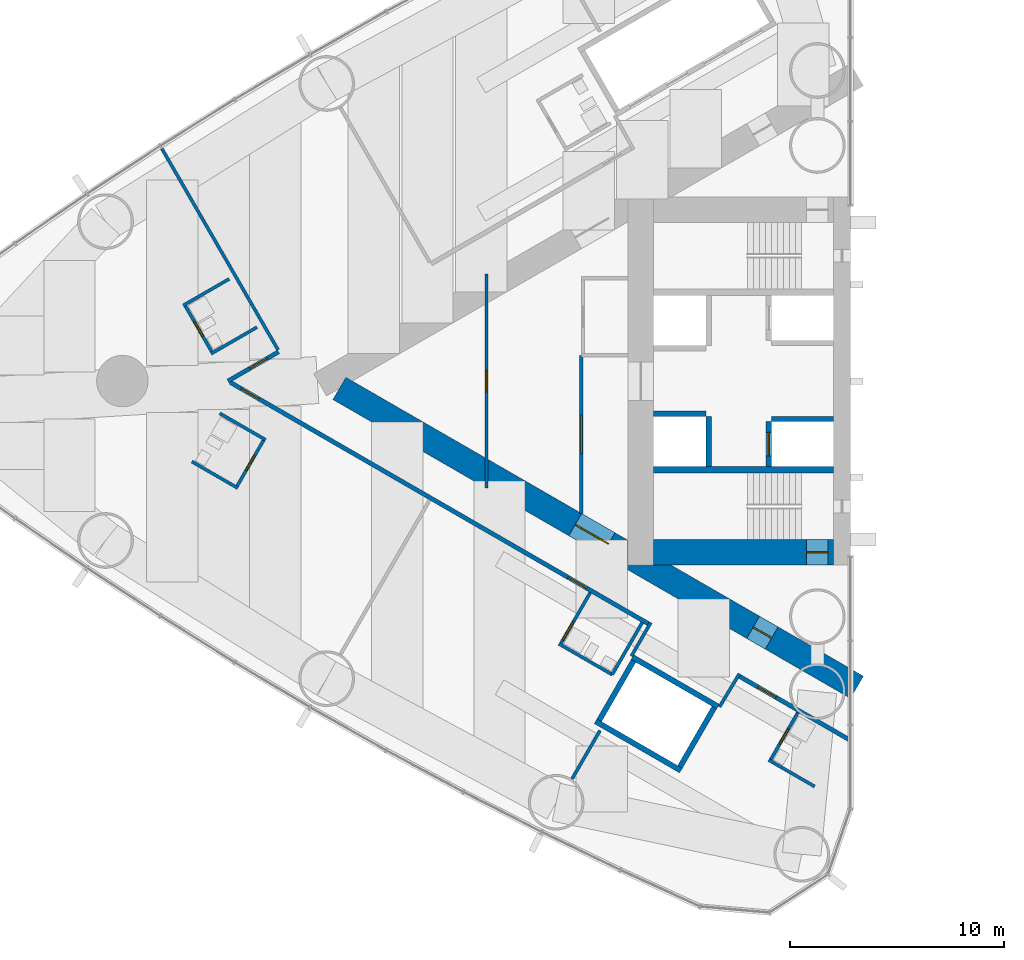
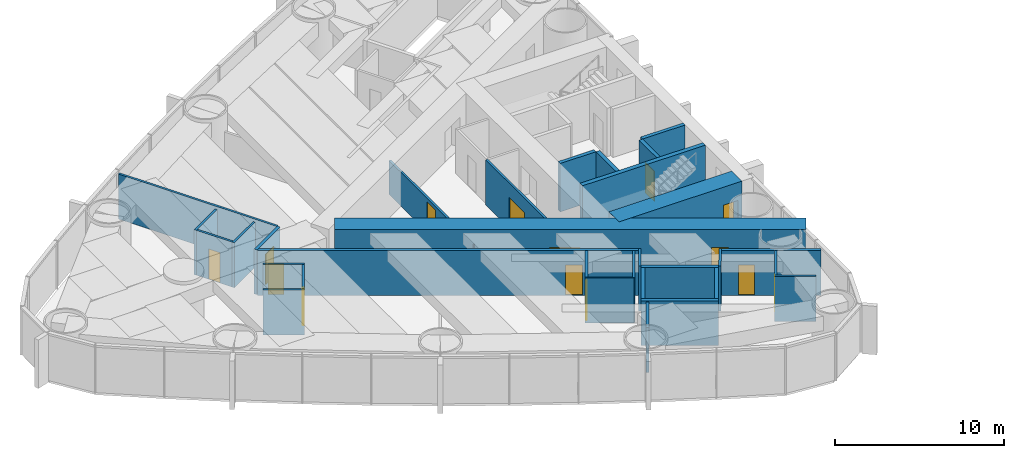
# One storey, part 11 of 18: 31 walls, 14 doors, 14 openings.
"""IFC4 building model written with IfcOpenShell, lengths in metres."""

from ifc_helpers import new_model, si_unit, direction, frame, frame_2d, origin, place, context, subcontext, project, spatial, rectangle, extrude, material, layer, layer_set, type_object, element, fill, save


model = new_model("IFC4")

# Units and contexts
model_context = context("Model", 3, precision=1e-05, world=origin(), true_north=direction((0.0, 1.0)))
body_context = subcontext(model_context, "Body", "Model", "MODEL_VIEW")
ifc_project = project(units=[si_unit("LENGTHUNIT", "METRE"), si_unit("AREAUNIT", "SQUARE_METRE"), si_unit("VOLUMEUNIT", "CUBIC_METRE"), si_unit("PLANEANGLEUNIT", "RADIAN"), si_unit("MASSUNIT", "GRAM", prefix="KILO")], contexts=[model_context])

# Site, building, storey
site_placement = place(None, origin())
site = spatial("IfcSite", under=ifc_project, at=site_placement, CompositionType="ELEMENT")
building_placement = place(site_placement, origin())
building = spatial("IfcBuilding", under=site, at=building_placement, Name="Lancet Gate Hotel", CompositionType="ELEMENT")
storey_placement = place(building_placement, frame((0.0, 0.0, 108.10009765625)))
storey = spatial("IfcBuildingStorey", under=building, at=storey_placement, Name="L28", CompositionType="ELEMENT", Elevation=108.10009765625)

# Wall
ifc_material_1 = material(Name="Moisture resistant board partition")
ifc_layer_1 = layer(ifc_material_1, 0.14990234375)
ifc_layer_set_1 = layer_set([ifc_layer_1], Name="Bathroom wall 150")
wall_type_1 = type_object("IfcWallType", Name="Bathroom wall 150", PredefinedType="PARTITIONING", material=ifc_layer_set_1)
wall_1_placement = place(storey_placement, frame((-56.51708984375, 4.763916015625, 0.0), z_axis=(0.0, 0.0, 1.0), x_axis=(-0.866031185235, -0.4999899861, 0.0)))
element("IfcWall", 1, at=wall_1_placement, inside=storey, type_object=wall_type_1, Name="T1 bathroom wall 150 L28", PredefinedType="PARTITIONING", context=body_context, shape_type="SweptSolid", body=[
    extrude(rectangle(XDim=2.47509765625, YDim=0.14990234375, at=frame_2d((1.237548828125, 0.0))), origin(), (0.0, 0.0, 1.0), 3.25),
])

# Wall, opening, door
wall_2_placement = place(storey_placement, frame((-57.295654296875, 1.312255859375, 0.0), z_axis=(0.0, 0.0, 1.0), x_axis=(-0.49997716683, 0.86603858612, 0.0)))
wall_2 = element("IfcWall", 2, at=wall_2_placement, inside=storey, type_object=wall_type_1, Name="T1 bathroom wall 150 L28", PredefinedType="PARTITIONING", context=body_context, shape_type="SweptSolid", body=[
    extrude(rectangle(XDim=2.599609375, YDim=0.14990234375, at=frame_2d((1.2998046875, 0.0))), origin(), (0.0, 0.0, 1.0), 3.25),
])
opening_1_placement = place(wall_2_placement, frame((0.89990234375, 0.0, 0.0)))
opening_1 = element("IfcOpeningElement", 3, at=opening_1_placement, cuts=wall_2, Name="Opening 2804-B", PredefinedType="OPENING", context=body_context, shape_type="SweptSolid", body=[
    extrude(rectangle(XDim=0.800048828125, YDim=2.199951171875, at=frame_2d((0.39990234375, 1.10009765625))), frame((0.0, 0.0849609375, 0.0), z_axis=(0.0, -1.0, 0.0), x_axis=(1.0, 0.0, 0.0)), (0.0, 0.0, 1.0), 0.169921875),
])
ifc_material_2 = material(Name="Timber door set", Category="wood")
door_type_1 = type_object("IfcDoorType", Name="Bathroom door 800", OperationType="SINGLE_SWING_RIGHT", PredefinedType="DOOR", material=ifc_material_2)
door_1_placement = place(opening_1_placement, origin())
door_1 = element("IfcDoor", 4, at=door_1_placement, inside=storey, type_object=door_type_1, Name="2804-B", OperationType="SINGLE_SWING_RIGHT", OverallHeight=2.199951171875, OverallWidth=0.800048828125, PredefinedType="DOOR", context=body_context, shape_type="SweptSolid", body=[
    extrude(rectangle(XDim=0.800048828125, YDim=2.199951171875, at=frame_2d((0.39990234375, 1.10009765625))), frame((0.0, 0.02490234375, 0.0), z_axis=(0.0, -1.0, 0.0), x_axis=(1.0, 0.0, 0.0)), (0.0, 0.0, 1.0), 0.050048828125),
])
fill(opening_1, door_1)

# Walls
for number, where, z_axis, x_axis, name in (
    (5, (-55.217041015625, 2.51220703125, 0.0), (0.0, 0.0, 1.0), (-0.866031185235, -0.4999899861, 0.0), "T1 bathroom wall 150 L28"),
    (6, (-56.111083984375, -4.998291015625, 0.0), (0.0, 0.0, 1.0), (-0.866031185235, 0.4999899861, 0.0), "T1 bathroom wall 150 L28"),
):
    element("IfcWall", number, at=place(storey_placement, frame(where, z_axis=z_axis, x_axis=x_axis)), inside=storey, type_object=wall_type_1, Name=name, PredefinedType="PARTITIONING", context=body_context, shape_type="SweptSolid", body=[
        extrude(rectangle(XDim=2.47509765625, YDim=0.14990234375, at=frame_2d((1.237548828125, 0.0))), origin(), (0.0, 0.0, 1.0), 3.25),
    ])

# Wall, opening, door
wall_3_placement = place(storey_placement, frame((-54.8759765625, -2.708984375, 0.0), z_axis=(0.0, 0.0, 1.0), x_axis=(-0.500006934395, -0.866021400173, 0.0)))
wall_3 = element("IfcWall", 7, at=wall_3_placement, inside=storey, type_object=wall_type_1, Name="T1 bathroom wall 150 L28", PredefinedType="PARTITIONING", context=body_context, shape_type="SweptSolid", body=[
    extrude(rectangle(XDim=2.60009765625, YDim=0.14990234375, at=frame_2d((1.300048828125, 0.0))), origin(), (0.0, 0.0, 1.0), 3.25),
])
opening_2_placement = place(wall_3_placement, frame((0.89990234375, 0.0, 0.0)))
opening_2 = element("IfcOpeningElement", 8, at=opening_2_placement, cuts=wall_3, Name="Opening 2805-B", PredefinedType="OPENING", context=body_context, shape_type="SweptSolid", body=[
    extrude(rectangle(XDim=0.800048828125, YDim=2.199951171875, at=frame_2d((0.39990234375, 1.10009765625))), frame((0.0, 0.0849609375, 0.0), z_axis=(0.0, -1.0, 0.0), x_axis=(1.0, 0.0, 0.0)), (0.0, 0.0, 1.0), 0.169921875),
])
door_2_placement = place(opening_2_placement, origin())
door_2 = element("IfcDoor", 9, at=door_2_placement, inside=storey, type_object=door_type_1, Name="2805-B", OperationType="SINGLE_SWING_RIGHT", OverallHeight=2.199951171875, OverallWidth=0.800048828125, PredefinedType="DOOR", context=body_context, shape_type="SweptSolid", body=[
    extrude(rectangle(XDim=0.800048828125, YDim=2.199951171875, at=frame_2d((0.39990234375, 1.10009765625))), frame((0.0, 0.02490234375, 0.0), z_axis=(0.0, -1.0, 0.0), x_axis=(1.0, 0.0, 0.0)), (0.0, 0.0, 1.0), 0.050048828125),
])
fill(opening_2, door_2)

# Walls
wall_4_placement = place(storey_placement, frame((-54.81103515625, -2.74658203125, 0.0), z_axis=(0.0, 0.0, 1.0), x_axis=(-0.866031185235, 0.4999899861, 0.0)))
element("IfcWall", 10, at=wall_4_placement, inside=storey, type_object=wall_type_1, Name="T1 bathroom wall 150 L28", PredefinedType="PARTITIONING", context=body_context, shape_type="SweptSolid", body=[
    extrude(rectangle(XDim=2.47509765625, YDim=0.14990234375, at=frame_2d((1.237548828125, 0.0))), origin(), (0.0, 0.0, 1.0), 3.25),
])
wall_5_placement = place(storey_placement, frame((-38.630126953125, -13.705322265625, 0.0), z_axis=(0.0, 0.0, 1.0), x_axis=(-0.866018712932, 0.500011588718, 0.0)))
element("IfcWall", 11, at=wall_5_placement, inside=storey, type_object=wall_type_1, Name="T1 bathroom wall 150 L28", PredefinedType="PARTITIONING", context=body_context, shape_type="SweptSolid", body=[
    extrude(rectangle(XDim=2.875, YDim=0.14990234375, at=frame_2d((1.4375, 0.0))), origin(), (0.0, 0.0, 1.0), 3.25),
])

# Wall, opening, door
wall_6_placement = place(storey_placement, frame((-39.65478515625, -9.88037109375, 0.0), z_axis=(0.0, 0.0, 1.0), x_axis=(-0.500049511043, -0.865996816683, 0.0)))
wall_6 = element("IfcWall", 12, at=wall_6_placement, inside=storey, type_object=wall_type_1, Name="T1 bathroom wall 150 L28", PredefinedType="PARTITIONING", context=body_context, shape_type="SweptSolid", body=[
    extrude(rectangle(XDim=2.800048828125, YDim=0.14990234375, at=frame_2d((1.39990234375, 0.0))), origin(), (0.0, 0.0, 1.0), 3.25),
])
opening_3_placement = place(wall_6_placement, frame((1.550048828125, 0.0, 0.0)))
opening_3 = element("IfcOpeningElement", 13, at=opening_3_placement, cuts=wall_6, Name="Opening 2807-B", PredefinedType="OPENING", context=body_context, shape_type="SweptSolid", body=[
    extrude(rectangle(XDim=1.0, YDim=2.199951171875, at=frame_2d((0.5, 1.10009765625))), frame((0.0, 0.0849609375, 0.0), z_axis=(0.0, -1.0, 0.0), x_axis=(1.0, 0.0, 0.0)), (0.0, 0.0, 1.0), 0.169921875),
])
ifc_material_3 = material(Name="Timber door set", Category="wood")
door_type_2 = type_object("IfcDoorType", Name="Accessible en-suite door 1000", OperationType="SINGLE_SWING_RIGHT", PredefinedType="DOOR", material=ifc_material_3)
door_3_placement = place(opening_3_placement, origin())
door_3 = element("IfcDoor", 14, at=door_3_placement, inside=storey, type_object=door_type_2, Name="2807-B", OperationType="SINGLE_SWING_RIGHT", OverallHeight=2.199951171875, OverallWidth=1.0, PredefinedType="DOOR", context=body_context, shape_type="SweptSolid", body=[
    extrude(rectangle(XDim=1.0, YDim=2.199951171875, at=frame_2d((0.5, 1.10009765625))), frame((0.0, 0.02490234375, 0.0), z_axis=(0.0, -1.0, 0.0), x_axis=(1.0, 0.0, 0.0)), (0.0, 0.0, 1.0), 0.050048828125),
])
fill(opening_3, door_3)

# Walls
wall_7_placement = place(storey_placement, frame((-37.22998046875, -11.280517578125, 0.0), z_axis=(0.0, 0.0, 1.0), x_axis=(-0.500049511043, -0.865996816683, 0.0)))
element("IfcWall", 15, at=wall_7_placement, inside=storey, type_object=wall_type_1, Name="T1 bathroom wall 150 L28", PredefinedType="PARTITIONING", context=body_context, shape_type="SweptSolid", body=[
    extrude(rectangle(XDim=2.800048828125, YDim=0.14990234375, at=frame_2d((1.39990234375, 0.0))), origin(), (0.0, 0.0, 1.0), 3.25),
])
wall_8_placement = place(storey_placement, frame((-29.181884765625, -18.92919921875, 0.0), z_axis=(0.0, 0.0, 1.0), x_axis=(-0.866006523861, 0.500032699561, 0.0)))
element("IfcWall", 16, at=wall_8_placement, inside=storey, type_object=wall_type_1, Name="T1 bathroom wall 150 L28", PredefinedType="PARTITIONING", context=body_context, shape_type="SweptSolid", body=[
    extrude(rectangle(XDim=2.474853515625, YDim=0.14990234375, at=frame_2d((1.2373046875, 0.0))), origin(), (0.0, 0.0, 1.0), 3.25),
])

# Wall, opening, door
wall_9_placement = place(storey_placement, frame((-29.960205078125, -15.4775390625, 0.0), z_axis=(0.0, 0.0, 1.0), x_axis=(-0.500006934395, -0.866021400173, 0.0)))
wall_9 = element("IfcWall", 17, at=wall_9_placement, inside=storey, type_object=wall_type_1, Name="T1 bathroom wall 150 L28", PredefinedType="PARTITIONING", context=body_context, shape_type="SweptSolid", body=[
    extrude(rectangle(XDim=2.60009765625, YDim=0.14990234375, at=frame_2d((1.300048828125, 0.0))), origin(), (0.0, 0.0, 1.0), 3.25),
])
opening_4_placement = place(wall_9_placement, frame((0.89990234375, 0.0, 0.0)))
opening_4 = element("IfcOpeningElement", 18, at=opening_4_placement, cuts=wall_9, Name="Opening 2808-B", PredefinedType="OPENING", context=body_context, shape_type="SweptSolid", body=[
    extrude(rectangle(XDim=0.800048828125, YDim=2.199951171875, at=frame_2d((0.39990234375, 1.10009765625))), frame((0.0, 0.0849609375, 0.0), z_axis=(0.0, -1.0, 0.0), x_axis=(1.0, 0.0, 0.0)), (0.0, 0.0, 1.0), 0.169921875),
])
door_4_placement = place(opening_4_placement, origin())
door_4 = element("IfcDoor", 19, at=door_4_placement, inside=storey, type_object=door_type_1, Name="2808-B", OperationType="SINGLE_SWING_RIGHT", OverallHeight=2.199951171875, OverallWidth=0.800048828125, PredefinedType="DOOR", context=body_context, shape_type="SweptSolid", body=[
    extrude(rectangle(XDim=0.800048828125, YDim=2.199951171875, at=frame_2d((0.39990234375, 1.10009765625))), frame((0.0, 0.02490234375, 0.0), z_axis=(0.0, -1.0, 0.0), x_axis=(1.0, 0.0, 0.0)), (0.0, 0.0, 1.0), 0.050048828125),
])
fill(opening_4, door_4)

# Wall, openings, doors
ifc_material_4 = material(Name="Concrete C70/85", Category="concrete")
ifc_layer_2 = layer(ifc_material_4, 1.199951171875)
ifc_layer_set_2 = layer_set([ifc_layer_2], Name="Buttress wall 1200")
wall_type_2 = type_object("IfcWallType", Name="Buttress wall 1200", PredefinedType="SHEAR", material=ifc_layer_set_2)
wall_10_placement = place(storey_placement, frame((-27.199951171875, -14.300048828125, 0.0), z_axis=(0.0, 0.0, 1.0), x_axis=(-0.866024021859, 0.500002393557, 0.0)))
wall_10 = element("IfcWall", 20, at=wall_10_placement, inside=storey, type_object=wall_type_2, Name="T1 buttress wall N L28", PredefinedType="SHEAR", context=body_context, shape_type="SweptSolid", body=[
    extrude(rectangle(XDim=27.906982421875, YDim=1.199951171875, at=frame_2d((13.95361328125, 0.0))), origin(), (0.0, 0.0, 1.0), 3.5),
])
opening_5_placement = place(wall_10_placement, frame((4.60009765625, 0.0, 0.0)))
opening_5 = element("IfcOpeningElement", 21, at=opening_5_placement, cuts=wall_10, Name="Opening T1-L28-LN", PredefinedType="OPENING", context=body_context, shape_type="SweptSolid", body=[
    extrude(rectangle(XDim=1.0, YDim=2.199951171875, at=frame_2d((0.5, 1.10009765625))), frame((0.0, 0.60986328125, 0.0), z_axis=(0.0, -1.0, 0.0), x_axis=(1.0, 0.0, 0.0)), (0.0, 0.0, 1.0), 1.219970703125),
])
opening_6_placement = place(wall_10_placement, frame((13.39453125, 0.0, 0.0)))
opening_6 = element("IfcOpeningElement", 22, at=opening_6_placement, cuts=wall_10, Name="Opening T1-L28-LHN", PredefinedType="OPENING", context=body_context, shape_type="SweptSolid", body=[
    extrude(rectangle(XDim=1.800048828125, YDim=2.199951171875, at=frame_2d((0.89990234375, 1.10009765625))), frame((0.0, 0.60986328125, 0.0), z_axis=(0.0, -1.0, 0.0), x_axis=(1.0, 0.0, 0.0)), (0.0, 0.0, 1.0), 1.219970703125),
])
ifc_material_5 = material(Name="Timber door set", Category="wood")
door_type_3 = type_object("IfcDoorType", Name="Lobby double door 1800", OperationType="DOUBLE_DOOR_SINGLE_SWING", PredefinedType="DOOR", material=ifc_material_5)
door_5_placement = place(opening_6_placement, origin())
door_5 = element("IfcDoor", 23, at=door_5_placement, inside=storey, type_object=door_type_3, Name="T1-L28-LHN", OperationType="DOUBLE_DOOR_SINGLE_SWING", OverallHeight=2.199951171875, OverallWidth=1.800048828125, PredefinedType="DOOR", context=body_context, shape_type="SweptSolid", body=[
    extrude(rectangle(XDim=1.800048828125, YDim=2.199951171875, at=frame_2d((0.89990234375, 1.10009765625))), frame((0.0, 0.02490234375, 0.0), z_axis=(0.0, -1.0, 0.0), x_axis=(1.0, 0.0, 0.0)), (0.0, 0.0, 1.0), 0.050048828125),
])
fill(opening_6, door_5)
ifc_material_6 = material(Name="Timber door set", Category="wood")
door_type_4 = type_object("IfcDoorType", Name="Stair lobby door 1000", OperationType="SINGLE_SWING_LEFT", PredefinedType="DOOR", material=ifc_material_6)
door_6_placement = place(opening_5_placement, origin())
door_6 = element("IfcDoor", 24, at=door_6_placement, inside=storey, type_object=door_type_4, Name="T1-L28-LN", OperationType="SINGLE_SWING_LEFT", OverallHeight=2.199951171875, OverallWidth=1.0, PredefinedType="DOOR", context=body_context, shape_type="SweptSolid", body=[
    extrude(rectangle(XDim=1.0, YDim=2.199951171875, at=frame_2d((0.5, 1.10009765625))), frame((0.0, 0.02490234375, 0.0), z_axis=(0.0, -1.0, 0.0), x_axis=(1.0, 0.0, 0.0)), (0.0, 0.0, 1.0), 0.050048828125),
])
fill(opening_5, door_6)

# Wall, opening, door
ifc_material_7 = material(Name="Concrete C70/85", Category="concrete")
ifc_layer_3 = layer(ifc_material_7, 1.199951171875)
ifc_layer_set_3 = layer_set([ifc_layer_3], Name="Core wall 1200")
wall_type_3 = type_object("IfcWallType", Name="Core wall 1200", PredefinedType="SHEAR", material=ifc_layer_set_3)
wall_11_placement = place(storey_placement, frame((-28.300048828125, -8.0, 0.0), z_axis=(0.0, 0.0, 1.0), x_axis=(-1.0, 0.0, 0.0)))
wall_11 = element("IfcWall", 25, at=wall_11_placement, inside=storey, type_object=wall_type_3, Name="T1 core wall side-N L28", PredefinedType="SHEAR", context=body_context, shape_type="SweptSolid", body=[
    extrude(rectangle(XDim=8.39990234375, YDim=1.199951171875, at=frame_2d((4.199951171875, 0.0))), origin(), (0.0, 0.0, 1.0), 3.5),
])
opening_7_placement = place(wall_11_placement, frame((0.25, 0.0, 0.0)))
opening_7 = element("IfcOpeningElement", 26, at=opening_7_placement, cuts=wall_11, Name="Opening T1-L28-ST2", PredefinedType="OPENING", context=body_context, shape_type="SweptSolid", body=[
    extrude(rectangle(XDim=1.0, YDim=2.199951171875, at=frame_2d((0.5, 1.10009765625))), frame((0.0, 0.60986328125, 0.0), z_axis=(0.0, -1.0, 0.0), x_axis=(1.0, 0.0, 0.0)), (0.0, 0.0, 1.0), 1.219970703125),
])
ifc_material_8 = material(Name="Timber door set", Category="wood")
door_type_5 = type_object("IfcDoorType", Name="Stair door 1000", OperationType="SINGLE_SWING_RIGHT", PredefinedType="DOOR", material=ifc_material_8)
door_7_placement = place(opening_7_placement, origin())
door_7 = element("IfcDoor", 27, at=door_7_placement, inside=storey, type_object=door_type_5, Name="T1-L28-ST2", OperationType="SINGLE_SWING_RIGHT", OverallHeight=2.199951171875, OverallWidth=1.0, PredefinedType="DOOR", context=body_context, shape_type="SweptSolid", body=[
    extrude(rectangle(XDim=1.0, YDim=2.199951171875, at=frame_2d((0.5, 1.10009765625))), frame((0.0, 0.02490234375, 0.0), z_axis=(0.0, -1.0, 0.0), x_axis=(1.0, 0.0, 0.0)), (0.0, 0.0, 1.0), 0.050048828125),
])
fill(opening_7, door_7)

ifc_material_9 = material(Name="Gypsum board partition")
ifc_layer_4 = layer(ifc_material_9, 0.199951171875)
ifc_layer_set_4 = layer_set([ifc_layer_4], Name="Corridor wall 200")
wall_type_4 = type_object("IfcWallType", Name="Corridor wall 200", PredefinedType="PARTITIONING", material=ifc_layer_set_4)
wall_12_placement = place(storey_placement, frame((-27.572021484375, -16.740966796875, 0.0), z_axis=(0.0, 0.0, 1.0), x_axis=(-0.866024464444, 0.500001626982, 0.0)))
wall_12 = element("IfcWall", 28, at=wall_12_placement, inside=storey, type_object=wall_type_4, Name="T1 corridor wall 200 L28", PredefinedType="PARTITIONING", context=body_context, shape_type="SweptSolid", body=[
    extrude(rectangle(XDim=5.955078125, YDim=0.199951171875, at=frame_2d((2.9775390625, 0.0))), origin(), (0.0, 0.0, 1.0), 3.25),
])
opening_8_placement = place(wall_12_placement, frame((3.949951171875, 0.0, 0.0)))
opening_8 = element("IfcOpeningElement", 29, at=opening_8_placement, cuts=wall_12, Name="Opening 2808-E", PredefinedType="OPENING", context=body_context, shape_type="SweptSolid", body=[
    extrude(rectangle(XDim=0.949951171875, YDim=2.199951171875, at=frame_2d((0.47509765625, 1.10009765625))), frame((0.0, 0.10986328125, 0.0), z_axis=(0.0, -1.0, 0.0), x_axis=(1.0, 0.0, 0.0)), (0.0, 0.0, 1.0), 0.219970703125),
])
ifc_material_10 = material(Name="Timber door set", Category="wood")
door_type_6 = type_object("IfcDoorType", Name="Guest room entry door 950", OperationType="SINGLE_SWING_LEFT", PredefinedType="DOOR", material=ifc_material_10)
door_8_placement = place(opening_8_placement, origin())
door_8 = element("IfcDoor", 30, at=door_8_placement, inside=storey, type_object=door_type_6, Name="2808-E", OperationType="SINGLE_SWING_LEFT", OverallHeight=2.199951171875, OverallWidth=0.949951171875, PredefinedType="DOOR", context=body_context, shape_type="SweptSolid", body=[
    extrude(rectangle(XDim=0.949951171875, YDim=2.199951171875, at=frame_2d((0.47509765625, 1.10009765625))), frame((0.0, 0.02490234375, 0.0), z_axis=(0.0, -1.0, 0.0), x_axis=(1.0, 0.0, 0.0)), (0.0, 0.0, 1.0), 0.050048828125),
])
fill(opening_8, door_8)

# Wall, openings, doors
wall_13_placement = place(storey_placement, frame((-36.920166015625, -11.34375, 0.0), z_axis=(0.0, 0.0, 1.0), x_axis=(-0.866028313256, 0.499994960614, 0.0)))
wall_13 = element("IfcWall", 31, at=wall_13_placement, inside=storey, type_object=wall_type_4, Name="T1 corridor wall 200 L28", PredefinedType="PARTITIONING", context=body_context, shape_type="SweptSolid", body=[
    extrude(rectangle(XDim=22.567626953125, YDim=0.199951171875, at=frame_2d((11.28369140625, 0.0))), origin(), (0.0, 0.0, 1.0), 3.25),
])
opening_9_placement = place(wall_13_placement, frame((21.017578125, 0.0, 0.0)))
opening_9 = element("IfcOpeningElement", 32, at=opening_9_placement, cuts=wall_13, Name="Opening 2805-E", PredefinedType="OPENING", context=body_context, shape_type="SweptSolid", body=[
    extrude(rectangle(XDim=0.949951171875, YDim=2.199951171875, at=frame_2d((0.47509765625, 1.10009765625))), frame((0.0, 0.10986328125, 0.0), z_axis=(0.0, -1.0, 0.0), x_axis=(1.0, 0.0, 0.0)), (0.0, 0.0, 1.0), 0.219970703125),
])
opening_10_placement = place(wall_13_placement, frame((3.35009765625, 0.0, 0.0)))
opening_10 = element("IfcOpeningElement", 33, at=opening_10_placement, cuts=wall_13, Name="Opening 2807-E", PredefinedType="OPENING", context=body_context, shape_type="SweptSolid", body=[
    extrude(rectangle(XDim=1.0, YDim=2.199951171875, at=frame_2d((0.5, 1.10009765625))), frame((0.0, 0.10986328125, 0.0), z_axis=(0.0, -1.0, 0.0), x_axis=(1.0, 0.0, 0.0)), (0.0, 0.0, 1.0), 0.219970703125),
])
ifc_material_11 = material(Name="Timber door set", Category="wood")
door_type_7 = type_object("IfcDoorType", Name="Accessible guest room door 1000", OperationType="SINGLE_SWING_LEFT", PredefinedType="DOOR", material=ifc_material_11)
door_9_placement = place(opening_10_placement, origin())
door_9 = element("IfcDoor", 34, at=door_9_placement, inside=storey, type_object=door_type_7, Name="2807-E", OperationType="SINGLE_SWING_LEFT", OverallHeight=2.199951171875, OverallWidth=1.0, PredefinedType="DOOR", context=body_context, shape_type="SweptSolid", body=[
    extrude(rectangle(XDim=1.0, YDim=2.199951171875, at=frame_2d((0.5, 1.10009765625))), frame((0.0, 0.02490234375, 0.0), z_axis=(0.0, -1.0, 0.0), x_axis=(1.0, 0.0, 0.0)), (0.0, 0.0, 1.0), 0.050048828125),
])
fill(opening_10, door_9)
door_10_placement = place(opening_9_placement, origin())
door_10 = element("IfcDoor", 35, at=door_10_placement, inside=storey, type_object=door_type_6, Name="2805-E", OperationType="SINGLE_SWING_LEFT", OverallHeight=2.199951171875, OverallWidth=0.949951171875, PredefinedType="DOOR", context=body_context, shape_type="SweptSolid", body=[
    extrude(rectangle(XDim=0.949951171875, YDim=2.199951171875, at=frame_2d((0.47509765625, 1.10009765625))), frame((0.0, 0.02490234375, 0.0), z_axis=(0.0, -1.0, 0.0), x_axis=(1.0, 0.0, 0.0)), (0.0, 0.0, 1.0), 0.050048828125),
])
fill(opening_9, door_10)

# Wall, opening, door
wall_14_placement = place(storey_placement, frame((-54.207275390625, 1.363037109375, 0.0), z_axis=(0.0, 0.0, 1.0), x_axis=(-0.866046902845, -0.499962760685, 0.0)))
wall_14 = element("IfcWall", 36, at=wall_14_placement, inside=storey, type_object=wall_type_4, Name="T1 corridor wall 200 L28", PredefinedType="PARTITIONING", context=body_context, shape_type="SweptSolid", body=[
    extrude(rectangle(XDim=2.726318359375, YDim=0.199951171875, at=frame_2d((1.36328125, 0.0))), origin(), (0.0, 0.0, 1.0), 3.25),
])
opening_11_placement = place(wall_14_placement, frame((0.60009765625, 0.0, 0.0)))
opening_11 = element("IfcOpeningElement", 37, at=opening_11_placement, cuts=wall_14, Name="Opening 2804-E", PredefinedType="OPENING", context=body_context, shape_type="SweptSolid", body=[
    extrude(rectangle(XDim=0.949951171875, YDim=2.199951171875, at=frame_2d((0.47509765625, 1.10009765625))), frame((0.0, 0.10986328125, 0.0), z_axis=(0.0, -1.0, 0.0), x_axis=(1.0, 0.0, 0.0)), (0.0, 0.0, 1.0), 0.219970703125),
])
door_11_placement = place(opening_11_placement, origin())
door_11 = element("IfcDoor", 38, at=door_11_placement, inside=storey, type_object=door_type_6, Name="2804-E", OperationType="SINGLE_SWING_LEFT", OverallHeight=2.199951171875, OverallWidth=0.949951171875, PredefinedType="DOOR", context=body_context, shape_type="SweptSolid", body=[
    extrude(rectangle(XDim=0.949951171875, YDim=2.199951171875, at=frame_2d((0.47509765625, 1.10009765625))), frame((0.0, 0.02490234375, 0.0), z_axis=(0.0, -1.0, 0.0), x_axis=(1.0, 0.0, 0.0)), (0.0, 0.0, 1.0), 0.050048828125),
])
fill(opening_11, door_11)

# Walls
ifc_material_12 = material(Name="Gypsum board partition")
ifc_layer_5 = layer(ifc_material_12, 0.25)
ifc_layer_set_5 = layer_set([ifc_layer_5], Name="Lift shaft partition 250")
wall_type_5 = type_object("IfcWallType", Name="Lift shaft partition 250", PredefinedType="PARTITIONING", material=ifc_layer_set_5)
wall_15_placement = place(storey_placement, frame((-33.695556640625, -15.197265625, 0.0), z_axis=(0.0, 0.0, 1.0), x_axis=(-0.865976953817, 0.500083908417, 0.0)))
element("IfcWall", 39, at=wall_15_placement, inside=storey, type_object=wall_type_5, Name="T1 lift shaft wall EX L28", PredefinedType="PARTITIONING", context=body_context, shape_type="SweptSolid", body=[
    extrude(rectangle(XDim=4.599365234375, YDim=0.25, at=frame_2d((2.2998046875, 0.0))), origin(), (0.0, 0.0, 1.0), 3.25),
])
wall_16_placement = place(storey_placement, frame((-35.42041015625, -18.185791015625, 0.0), z_axis=(0.0, 0.0, 1.0), x_axis=(-0.865990227814, 0.50006092162, 0.0)))
element("IfcWall", 40, at=wall_16_placement, inside=storey, type_object=wall_type_5, Name="T1 lift shaft wall EX L28", PredefinedType="PARTITIONING", context=body_context, shape_type="SweptSolid", body=[
    extrude(rectangle(XDim=4.599609375, YDim=0.25, at=frame_2d((2.2998046875, 0.0))), origin(), (0.0, 0.0, 1.0), 3.25),
])
wall_17_placement = place(storey_placement, frame((-33.8662109375, -15.242919921875, 0.0), z_axis=(0.0, 0.0, 1.0), x_axis=(-0.499929347863, -0.866066190972, 0.0)))
element("IfcWall", 41, at=wall_17_placement, inside=storey, type_object=wall_type_5, Name="T1 lift shaft wall EX L28", PredefinedType="PARTITIONING", context=body_context, shape_type="SweptSolid", body=[
    extrude(rectangle(XDim=3.20068359375, YDim=0.25, at=frame_2d((1.600341796875, 0.0))), origin(), (0.0, 0.0, 1.0), 3.25),
])
wall_18_placement = place(storey_placement, frame((-37.6328125, -13.068115234375, 0.0), z_axis=(0.0, 0.0, 1.0), x_axis=(-0.499872130319, -0.866099216793, 0.0)))
element("IfcWall", 42, at=wall_18_placement, inside=storey, type_object=wall_type_5, Name="T1 lift shaft wall EX L28", PredefinedType="PARTITIONING", context=body_context, shape_type="SweptSolid", body=[
    extrude(rectangle(XDim=3.200439453125, YDim=0.25, at=frame_2d((1.60009765625, 0.0))), origin(), (0.0, 0.0, 1.0), 3.25),
])

# Wall, opening, door
ifc_material_13 = material(Name="Concrete C50/60", Category="concrete")
ifc_layer_6 = layer(ifc_material_13, 0.25)
ifc_layer_set_6 = layer_set([ifc_layer_6], Name="Lift shaft wall 250")
wall_type_6 = type_object("IfcWallType", Name="Lift shaft wall 250", PredefinedType="SHEAR", material=ifc_layer_set_6)
wall_19_placement = place(storey_placement, frame((-31.324951171875, -1.89990234375, 0.0), z_axis=(0.0, 0.0, 1.0), x_axis=(0.0, -1.0, 0.0)))
wall_19 = element("IfcWall", 43, at=wall_19_placement, inside=storey, type_object=wall_type_6, Name="T1 core wall row1-N L28", PredefinedType="SHEAR", context=body_context, shape_type="SweptSolid", body=[
    extrude(rectangle(XDim=2.10009765625, YDim=0.25, at=frame_2d((1.050048828125, 0.0))), origin(), (0.0, 0.0, 1.0), 3.5),
])
opening_12_placement = place(wall_19_placement, frame((0.5, 0.0, 0.0)))
opening_12 = element("IfcOpeningElement", 44, at=opening_12_placement, cuts=wall_19, Name="Opening T1-FL2-L28", PredefinedType="OPENING", context=body_context, shape_type="SweptSolid", body=[
    extrude(rectangle(XDim=1.10009765625, YDim=2.199951171875, at=frame_2d((0.550048828125, 1.10009765625))), frame((0.0, 0.135009765625, 0.0), z_axis=(0.0, -1.0, 0.0), x_axis=(1.0, 0.0, 0.0)), (0.0, 0.0, 1.0), 0.27001953125),
])
ifc_material_14 = material(Name="Steel door set", Category="steel")
door_type_8 = type_object("IfcDoorType", Name="Firefighting lift landing door 1100", OperationType="SLIDING_TO_LEFT", PredefinedType="USERDEFINED", material=ifc_material_14)
door_12_placement = place(opening_12_placement, origin())
door_12 = element("IfcDoor", 45, at=door_12_placement, inside=storey, type_object=door_type_8, Name="T1-FL2-L28", ObjectType="LIFT LANDING DOOR", OperationType="SLIDING_TO_LEFT", OverallHeight=2.199951171875, OverallWidth=1.10009765625, PredefinedType="USERDEFINED", context=body_context, shape_type="SweptSolid", body=[
    extrude(rectangle(XDim=1.10009765625, YDim=2.199951171875, at=frame_2d((0.550048828125, 1.10009765625))), frame((0.0, 0.02490234375, 0.0), z_axis=(0.0, -1.0, 0.0), x_axis=(1.0, 0.0, 0.0)), (0.0, 0.0, 1.0), 0.050048828125),
])
fill(opening_12, door_12)

# Walls
wall_20_placement = place(storey_placement, frame((-34.125, -1.64990234375, 0.0), z_axis=(0.0, 0.0, 1.0), x_axis=(0.0, -1.0, 0.0)))
element("IfcWall", 46, at=wall_20_placement, inside=storey, type_object=wall_type_6, Name="T1 core wall row2-N L28", PredefinedType="SHEAR", context=body_context, shape_type="SweptSolid", body=[
    extrude(rectangle(XDim=2.35009765625, YDim=0.25, at=frame_2d((1.175048828125, 0.0))), origin(), (0.0, 0.0, 1.0), 3.5),
])
wall_21_placement = place(storey_placement, frame((-28.300048828125, -1.77490234375, 0.0), z_axis=(0.0, 0.0, 1.0), x_axis=(-1.0, 0.0, 0.0)))
element("IfcWall", 47, at=wall_21_placement, inside=storey, type_object=wall_type_6, Name="T1 core wall pass1-N L28", PredefinedType="SHEAR", context=body_context, shape_type="SweptSolid", body=[
    extrude(rectangle(XDim=2.89990234375, YDim=0.25, at=frame_2d((1.449951171875, 0.0))), origin(), (0.0, 0.0, 1.0), 3.5),
])
wall_22_placement = place(storey_placement, frame((-34.25, -1.52490234375, 0.0), z_axis=(0.0, 0.0, 1.0), x_axis=(-1.0, 0.0, 0.0)))
element("IfcWall", 48, at=wall_22_placement, inside=storey, type_object=wall_type_6, Name="T1 core wall pass2-N L28", PredefinedType="SHEAR", context=body_context, shape_type="SweptSolid", body=[
    extrude(rectangle(XDim=2.449951171875, YDim=0.25, at=frame_2d((1.22509765625, 0.0))), origin(), (0.0, 0.0, 1.0), 3.5),
])
ifc_material_15 = material(Name="Gypsum board partition")
ifc_layer_7 = layer(ifc_material_15, 0.14990234375)
ifc_layer_set_7 = layer_set([ifc_layer_7], Name="Party wall 150")
wall_type_7 = type_object("IfcWallType", Name="Party wall 150", PredefinedType="PARTITIONING", material=ifc_layer_set_7)
wall_23_placement = place(storey_placement, frame((-54.235595703125, 1.462158203125, 0.0), z_axis=(0.0, 0.0, 1.0), x_axis=(-0.499990351854, 0.866030974073, 0.0)))
element("IfcWall", 49, at=wall_23_placement, inside=storey, type_object=wall_type_7, Name="T1 party wall 150 L28", PredefinedType="PARTITIONING", context=body_context, shape_type="SweptSolid", body=[
    extrude(rectangle(XDim=10.833740234375, YDim=0.14990234375, at=frame_2d((5.4169921875, 0.0))), origin(), (0.0, 0.0, 1.0), 3.25),
])
wall_24_placement = place(storey_placement, frame((-39.2021484375, -16.319580078125, 0.0), z_axis=(0.0, 0.0, 1.0), x_axis=(-0.49997716683, -0.86603858612, 0.0)))
element("IfcWall", 50, at=wall_24_placement, inside=storey, type_object=wall_type_7, Name="T1 party wall 150 L28", PredefinedType="PARTITIONING", context=body_context, shape_type="SweptSolid", body=[
    extrude(rectangle(XDim=2.599609375, YDim=0.14990234375, at=frame_2d((1.2998046875, 0.0))), origin(), (0.0, 0.0, 1.0), 3.25),
])
ifc_material_16 = material(Name="Gypsum board partition")
ifc_layer_8 = layer(ifc_material_16, 0.14990234375)
ifc_layer_set_8 = layer_set([ifc_layer_8], Name="Service room wall 150")
wall_type_8 = type_object("IfcWallType", Name="Service room wall 150", PredefinedType="PARTITIONING", material=ifc_layer_set_8)
wall_25_placement = place(storey_placement, frame((-36.831298828125, -11.27978515625, 0.0), z_axis=(0.0, 0.0, 1.0), x_axis=(-0.499937177781, -0.866061671171, 0.0)))
element("IfcWall", 51, at=wall_25_placement, inside=storey, type_object=wall_type_8, Name="T1 service room wall 150 L28", PredefinedType="PARTITIONING", context=body_context, shape_type="SweptSolid", body=[
    extrude(rectangle(XDim=1.804443359375, YDim=0.14990234375, at=frame_2d((0.90234375, 0.0))), origin(), (0.0, 0.0, 1.0), 3.25),
])
wall_26_placement = place(storey_placement, frame((-33.62060546875, -15.217529296875, 0.0), z_axis=(0.0, 0.0, 1.0), x_axis=(0.514336634837, 0.857588377991, 0.0)))
element("IfcWall", 52, at=wall_26_placement, inside=storey, type_object=wall_type_8, Name="T1 service room wall 150 L28", PredefinedType="PARTITIONING", context=body_context, shape_type="SweptSolid", body=[
    extrude(rectangle(XDim=1.80517578125, YDim=0.14990234375, at=frame_2d((0.902587890625, 0.0))), origin(), (0.0, 0.0, 1.0), 3.25),
])

# Wall, opening, door
wall_27_placement = place(storey_placement, frame((-40.074951171875, 1.199951171875, 0.0), z_axis=(0.0, 0.0, 1.0), x_axis=(0.0, -1.0, 0.0)))
wall_27 = element("IfcWall", 53, at=wall_27_placement, inside=storey, type_object=wall_type_8, Name="T1 service room wall 150 L28", PredefinedType="PARTITIONING", context=body_context, shape_type="SweptSolid", body=[
    extrude(rectangle(XDim=7.373779296875, YDim=0.14990234375, at=frame_2d((3.68701171875, 0.0))), origin(), (0.0, 0.0, 1.0), 3.25),
])
opening_13_placement = place(wall_27_placement, frame((2.786865234375, 0.0, 0.0)))
opening_13 = element("IfcOpeningElement", 54, at=opening_13_placement, cuts=wall_27, Name="Opening T1-L28-LH", PredefinedType="OPENING", context=body_context, shape_type="SweptSolid", body=[
    extrude(rectangle(XDim=1.800048828125, YDim=2.199951171875, at=frame_2d((0.89990234375, 1.10009765625))), frame((0.0, 0.0849609375, 0.0), z_axis=(0.0, -1.0, 0.0), x_axis=(1.0, 0.0, 0.0)), (0.0, 0.0, 1.0), 0.169921875),
])
door_13_placement = place(opening_13_placement, origin())
door_13 = element("IfcDoor", 55, at=door_13_placement, inside=storey, type_object=door_type_3, Name="T1-L28-LH", OperationType="DOUBLE_DOOR_SINGLE_SWING", OverallHeight=2.199951171875, OverallWidth=1.800048828125, PredefinedType="DOOR", context=body_context, shape_type="SweptSolid", body=[
    extrude(rectangle(XDim=1.800048828125, YDim=2.199951171875, at=frame_2d((0.89990234375, 1.10009765625))), frame((0.0, 0.02490234375, 0.0), z_axis=(0.0, -1.0, 0.0), x_axis=(1.0, 0.0, 0.0)), (0.0, 0.0, 1.0), 0.050048828125),
])
fill(opening_13, door_13)

wall_28_placement = place(storey_placement, frame((-44.5, 5.004638671875, 0.0), z_axis=(0.0, 0.0, 1.0), x_axis=(0.0, -1.0, 0.0)))
wall_28 = element("IfcWall", 56, at=wall_28_placement, inside=storey, type_object=wall_type_8, Name="T1 service room wall 150 L28", PredefinedType="PARTITIONING", context=body_context, shape_type="SweptSolid", body=[
    extrude(rectangle(XDim=10.00927734375, YDim=0.14990234375, at=frame_2d((5.004638671875, 0.0))), origin(), (0.0, 0.0, 1.0), 2.449951171875),
])
opening_14_placement = place(wall_28_placement, frame((4.504638671875, 0.0, 0.0)))
opening_14 = element("IfcOpeningElement", 57, at=opening_14_placement, cuts=wall_28, Name="Opening T1-L28-SV", PredefinedType="OPENING", context=body_context, shape_type="SweptSolid", body=[
    extrude(rectangle(XDim=1.0, YDim=2.199951171875, at=frame_2d((0.5, 1.10009765625))), frame((0.0, 0.0849609375, 0.0), z_axis=(0.0, -1.0, 0.0), x_axis=(1.0, 0.0, 0.0)), (0.0, 0.0, 1.0), 0.169921875),
])
ifc_material_17 = material(Name="Timber door set", Category="wood")
door_type_9 = type_object("IfcDoorType", Name="Service door 1000", OperationType="SINGLE_SWING_LEFT", PredefinedType="DOOR", material=ifc_material_17)
door_14_placement = place(opening_14_placement, origin())
door_14 = element("IfcDoor", 58, at=door_14_placement, inside=storey, type_object=door_type_9, Name="T1-L28-SV", OperationType="SINGLE_SWING_LEFT", OverallHeight=2.199951171875, OverallWidth=1.0, PredefinedType="DOOR", context=body_context, shape_type="SweptSolid", body=[
    extrude(rectangle(XDim=1.0, YDim=2.199951171875, at=frame_2d((0.5, 1.10009765625))), frame((0.0, 0.02490234375, 0.0), z_axis=(0.0, -1.0, 0.0), x_axis=(1.0, 0.0, 0.0)), (0.0, 0.0, 1.0), 0.050048828125),
])
fill(opening_14, door_14)

# Wall
ifc_material_18 = material(Name="Concrete C50/60", Category="concrete")
ifc_layer_9 = layer(ifc_material_18, 0.300048828125)
ifc_layer_set_9 = layer_set([ifc_layer_9], Name="Stair enclosure wall 300")
wall_type_9 = type_object("IfcWallType", Name="Stair enclosure wall 300", PredefinedType="SHEAR", material=ifc_layer_set_9)
wall_29_placement = place(storey_placement, frame((-28.300048828125, -4.14990234375, 0.0), z_axis=(0.0, 0.0, 1.0), x_axis=(-1.0, 0.0, 0.0)))
element("IfcWall", 59, at=wall_29_placement, inside=storey, type_object=wall_type_9, Name="T1 core wall stair-N L28", PredefinedType="SHEAR", context=body_context, shape_type="SweptSolid", body=[
    extrude(rectangle(XDim=8.39990234375, YDim=0.300048828125, at=frame_2d((4.199951171875, 0.0))), origin(), (0.0, 0.0, 1.0), 3.5),
])

save(model, "model.ifc")
